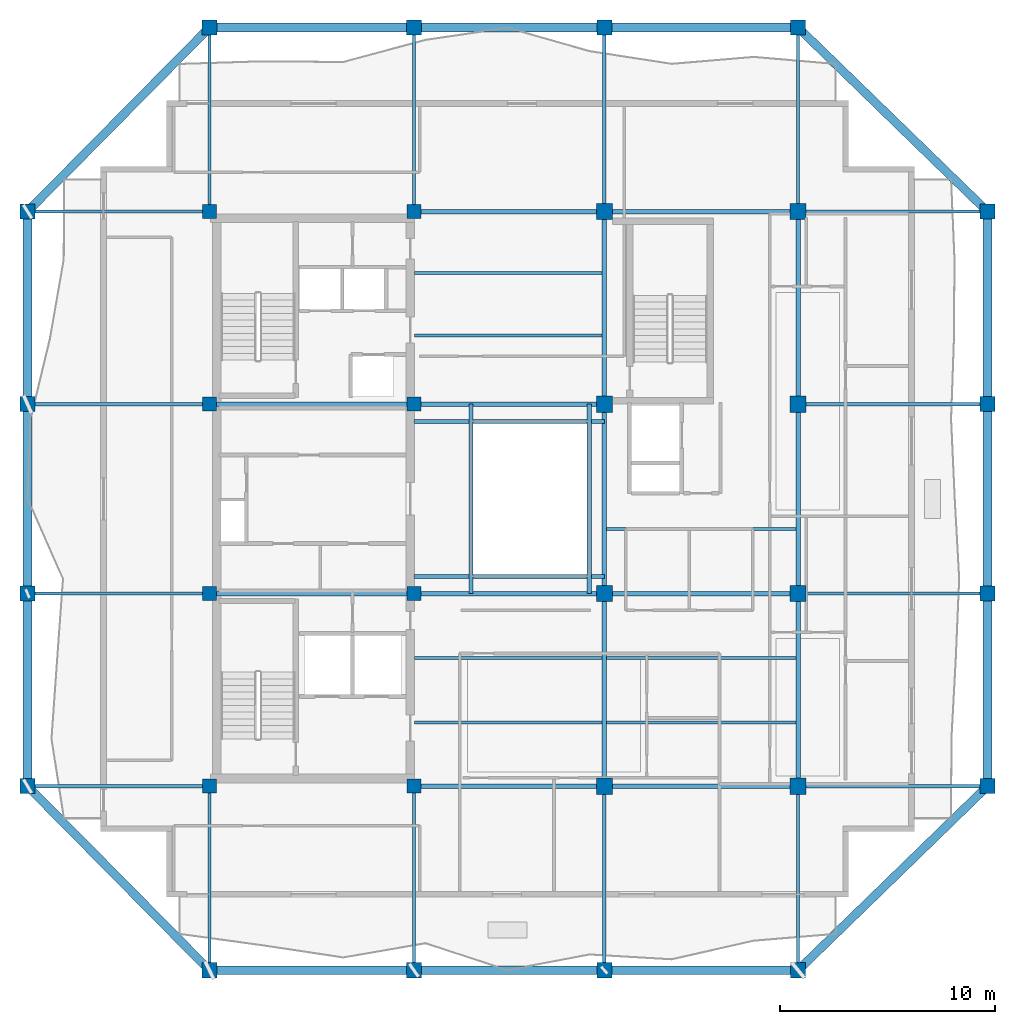
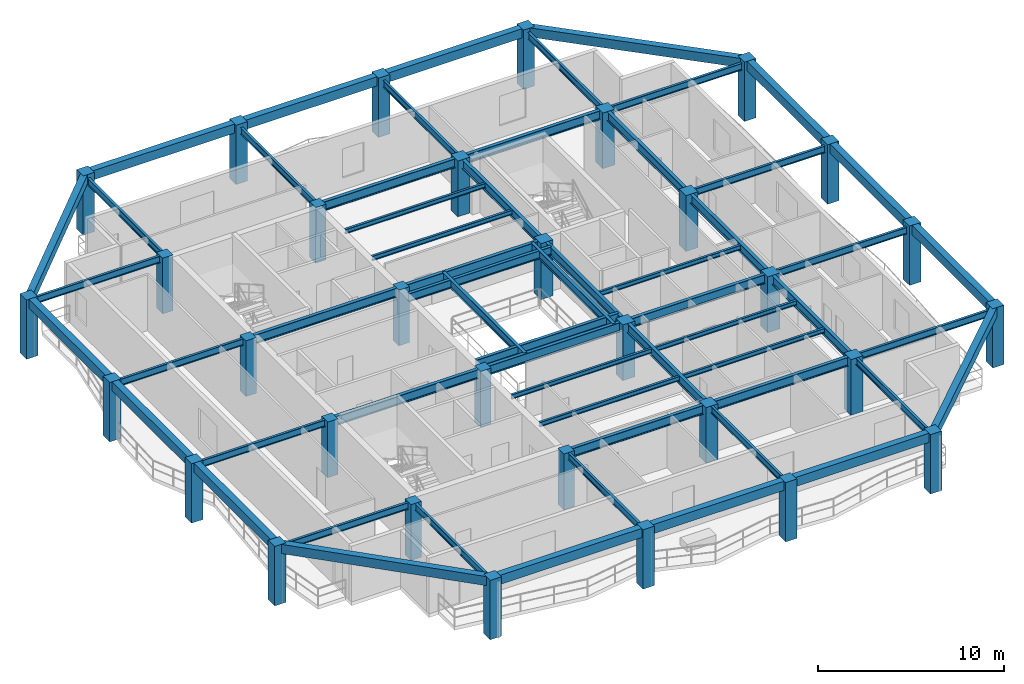
# One storey, part 1 of 10: 58 beams, 32 columns.
"""IFC4 building model written with IfcOpenShell, lengths in metres."""

from ifc_helpers import new_model, si_unit, direction, frame, origin, origin_2d, place, context, subcontext, project, spatial, rectangle, i_section, extrude, material, material_profile, profile_set, type_object, element, save


model = new_model("IFC4")

# Units and contexts
model_context = context("Model", 3, precision=1e-05, world=origin(), true_north=direction((0.0, 1.0)))
body_context = subcontext(model_context, "Body", "Model", "MODEL_VIEW")
ifc_project = project(units=[si_unit("LENGTHUNIT", "METRE"), si_unit("AREAUNIT", "SQUARE_METRE"), si_unit("VOLUMEUNIT", "CUBIC_METRE"), si_unit("PLANEANGLEUNIT", "RADIAN"), si_unit("MASSUNIT", "GRAM", prefix="KILO")], contexts=[model_context])

# Site, building, storey
site_placement = place(None, origin())
site = spatial("IfcSite", under=ifc_project, at=site_placement, CompositionType="ELEMENT")
building_placement = place(site_placement, origin())
building = spatial("IfcBuilding", under=site, at=building_placement, Name="Kundavana Baori Tower", CompositionType="ELEMENT")
storey_placement = place(building_placement, frame((0.0, 0.0, 272.60009765625)))
storey = spatial("IfcBuildingStorey", under=building, at=storey_placement, Name="L67", CompositionType="ELEMENT", Elevation=272.60009765625)

# Columns
ifc_material_1 = material(Name="Concrete C50/60", Category="concrete")
ifc_material_profile_1 = material_profile(ifc_material_1, rectangle(XDim=0.699951171875, YDim=0.699951171875, at=origin_2d()), Name="RC PF 700x700")
ifc_profile_set_1 = profile_set([ifc_material_profile_1], Name="Concrete C50/60")
column_type_1 = type_object("IfcColumnType", Name="COL-PF-700", PredefinedType="COLUMN", material=ifc_profile_set_1)
for number, where, z_axis, x_axis, name in (
    (1, (15.449951171875, 6.699951171875, 0.0), (0.0, 0.0, 1.0), (1.0, 0.0, 0.0), "L67 Stone-Clad Perimeter Frame Column PF-S1"),
    (2, (15.449951171875, 50.5, 0.0), (0.0, 0.0, 1.0), (1.0, 0.0, 0.0), "L67 Stone-Clad Perimeter Frame Column PF-N1"),
    (3, (24.949951171875, 6.699951171875, 0.0), (0.0, 0.0, 1.0), (1.0, 0.0, 0.0), "L67 Stone-Clad Perimeter Frame Column PF-S2"),
    (4, (24.949951171875, 50.5, 0.0), (0.0, 0.0, 1.0), (1.0, 0.0, 0.0), "L67 Stone-Clad Perimeter Frame Column PF-N2"),
    (5, (33.800048828125, 6.699951171875, 0.0), (0.0, 0.0, 1.0), (1.0, 0.0, 0.0), "L67 Stone-Clad Perimeter Frame Column PF-S3"),
    (6, (33.800048828125, 50.5, 0.0), (0.0, 0.0, 1.0), (1.0, 0.0, 0.0), "L67 Stone-Clad Perimeter Frame Column PF-N3"),
    (7, (42.800048828125, 6.699951171875, 0.0), (0.0, 0.0, 1.0), (1.0, 0.0, 0.0), "L67 Stone-Clad Perimeter Frame Column PF-S4"),
    (8, (42.800048828125, 50.5, 0.0), (0.0, 0.0, 1.0), (1.0, 0.0, 0.0), "L67 Stone-Clad Perimeter Frame Column PF-N4"),
    (9, (7.0, 15.25, 0.0), (0.0, 0.0, 1.0), (1.0, 0.0, 0.0), "L67 Stone-Clad Perimeter Frame Column PF-W1"),
    (10, (51.60009765625, 15.25, 0.0), (0.0, 0.0, 1.0), (1.0, 0.0, 0.0), "L67 Stone-Clad Perimeter Frame Column PF-E1"),
    (11, (7.0, 24.199951171875, 0.0), (0.0, 0.0, 1.0), (1.0, 0.0, 0.0), "L67 Stone-Clad Perimeter Frame Column PF-W2"),
    (12, (51.60009765625, 24.199951171875, 0.0), (0.0, 0.0, 1.0), (1.0, 0.0, 0.0), "L67 Stone-Clad Perimeter Frame Column PF-E2"),
    (13, (7.0, 33.0, 0.0), (0.0, 0.0, 1.0), (1.0, 0.0, 0.0), "L67 Stone-Clad Perimeter Frame Column PF-W3"),
    (14, (51.60009765625, 33.0, 0.0), (0.0, 0.0, 1.0), (1.0, 0.0, 0.0), "L67 Stone-Clad Perimeter Frame Column PF-E3"),
    (15, (7.0, 41.949951171875, 0.0), (0.0, 0.0, 1.0), (1.0, 0.0, 0.0), "L67 Stone-Clad Perimeter Frame Column PF-W4"),
    (16, (51.60009765625, 41.949951171875, 0.0), (0.0, 0.0, 1.0), (1.0, 0.0, 0.0), "L67 Stone-Clad Perimeter Frame Column PF-E4"),
):
    element("IfcColumn", number, at=place(storey_placement, frame(where, z_axis=z_axis, x_axis=x_axis)), inside=storey, type_object=column_type_1, Name=name, PredefinedType="COLUMN", context=body_context, shape_type="SweptSolid", body=[
        extrude(rectangle(XDim=0.699951171875, YDim=0.699951171875, at=origin_2d()), origin(), (0.0, 0.0, 1.0), 3.89990234375),
    ])
ifc_material_2 = material(Name="Concrete C50/60", Category="concrete")
ifc_material_profile_2 = material_profile(ifc_material_2, rectangle(XDim=0.64990234375, YDim=0.64990234375, at=origin_2d()), Name="RC 650x650")
ifc_profile_set_2 = profile_set([ifc_material_profile_2], Name="Concrete C50/60")
column_type_2 = type_object("IfcColumnType", Name="COL-RC-650", PredefinedType="COLUMN", material=ifc_profile_set_2)
for number, where, z_axis, x_axis, name in (
    (17, (15.449951171875, 15.25, 0.0), (0.0, 0.0, 1.0), (1.0, 0.0, 0.0), "L67 Interior Column IC-3C"),
    (18, (15.449951171875, 24.199951171875, 0.0), (0.0, 0.0, 1.0), (1.0, 0.0, 0.0), "L67 Interior Column IC-3D"),
    (19, (15.449951171875, 33.0, 0.0), (0.0, 0.0, 1.0), (1.0, 0.0, 0.0), "L67 Interior Column IC-3E"),
    (20, (15.449951171875, 41.949951171875, 0.0), (0.0, 0.0, 1.0), (1.0, 0.0, 0.0), "L67 Interior Column IC-3F"),
    (21, (24.949951171875, 15.25, 0.0), (0.0, 0.0, 1.0), (1.0, 0.0, 0.0), "L67 Interior Column IC-4C"),
    (22, (24.949951171875, 24.199951171875, 0.0), (0.0, 0.0, 1.0), (1.0, 0.0, 0.0), "L67 Interior Column IC-4D"),
    (23, (24.949951171875, 33.0, 0.0), (0.0, 0.0, 1.0), (1.0, 0.0, 0.0), "L67 Interior Column IC-4E"),
    (24, (24.949951171875, 41.949951171875, 0.0), (0.0, 0.0, 1.0), (1.0, 0.0, 0.0), "L67 Interior Column IC-4F"),
):
    element("IfcColumn", number, at=place(storey_placement, frame(where, z_axis=z_axis, x_axis=x_axis)), inside=storey, type_object=column_type_2, Name=name, PredefinedType="COLUMN", context=body_context, shape_type="SweptSolid", body=[
        extrude(rectangle(XDim=0.64990234375, YDim=0.64990234375, at=origin_2d()), origin(), (0.0, 0.0, 1.0), 3.659912109375),
    ])
ifc_material_3 = material(Name="Concrete C50/60", Category="concrete")
ifc_material_profile_3 = material_profile(ifc_material_3, rectangle(XDim=0.75, YDim=0.75, at=origin_2d()), Name="RC 750x750")
ifc_profile_set_3 = profile_set([ifc_material_profile_3], Name="Concrete C50/60")
column_type_3 = type_object("IfcColumnType", Name="COL-RC-750", PredefinedType="COLUMN", material=ifc_profile_set_3)
for number, where, z_axis, x_axis, name in (
    (25, (33.800048828125, 15.25, 0.0), (0.0, 0.0, 1.0), (1.0, 0.0, 0.0), "L67 Interior Column IC-5C"),
    (26, (33.800048828125, 24.199951171875, 0.0), (0.0, 0.0, 1.0), (1.0, 0.0, 0.0), "L67 Interior Column IC-5D"),
    (27, (33.800048828125, 33.0, 0.0), (0.0, 0.0, 1.0), (1.0, 0.0, 0.0), "L67 Interior Column IC-5E"),
    (28, (33.800048828125, 41.949951171875, 0.0), (0.0, 0.0, 1.0), (1.0, 0.0, 0.0), "L67 Interior Column IC-5F"),
    (29, (42.800048828125, 15.25, 0.0), (0.0, 0.0, 1.0), (1.0, 0.0, 0.0), "L67 Interior Column IC-6C"),
    (30, (42.800048828125, 24.199951171875, 0.0), (0.0, 0.0, 1.0), (1.0, 0.0, 0.0), "L67 Interior Column IC-6D"),
    (31, (42.800048828125, 33.0, 0.0), (0.0, 0.0, 1.0), (1.0, 0.0, 0.0), "L67 Interior Column IC-6E"),
    (32, (42.800048828125, 41.949951171875, 0.0), (0.0, 0.0, 1.0), (1.0, 0.0, 0.0), "L67 Interior Column IC-6F"),
):
    element("IfcColumn", number, at=place(storey_placement, frame(where, z_axis=z_axis, x_axis=x_axis)), inside=storey, type_object=column_type_3, Name=name, PredefinedType="COLUMN", context=body_context, shape_type="SweptSolid", body=[
        extrude(rectangle(XDim=0.75, YDim=0.75, at=origin_2d()), origin(), (0.0, 0.0, 1.0), 3.659912109375),
    ])

# Beams
ifc_material_4 = material(Name="Concrete C50/60", Category="concrete")
ifc_material_profile_4 = material_profile(ifc_material_4, rectangle(XDim=0.39990234375, YDim=0.60009765625, at=origin_2d()), Name="RC BM 400x600")
ifc_profile_set_4 = profile_set([ifc_material_profile_4], Name="Concrete C50/60")
beam_type_1 = type_object("IfcBeamType", Name="BM-PF-600", PredefinedType="SPANDREL", material=ifc_profile_set_4)
beam_1_placement = place(storey_placement, frame((15.449951171875, 6.699951171875, 3.599853515625), z_axis=(1.0, 0.0, 0.0), x_axis=(0.0, 1.0, 0.0)))
element("IfcBeam", 33, at=beam_1_placement, inside=storey, type_object=beam_type_1, Name="L67 Perimeter Frame Ring Beam S1", PredefinedType="SPANDREL", context=body_context, shape_type="SweptSolid", body=[
    extrude(rectangle(XDim=0.39990234375, YDim=0.60009765625, at=origin_2d()), origin(), (0.0, 0.0, 1.0), 9.5),
])
beam_2_placement = place(storey_placement, frame((24.949951171875, 6.699951171875, 3.599853515625), z_axis=(1.0, 0.0, 0.0), x_axis=(0.0, 1.0, 0.0)))
element("IfcBeam", 34, at=beam_2_placement, inside=storey, type_object=beam_type_1, Name="L67 Perimeter Frame Ring Beam S2", PredefinedType="SPANDREL", context=body_context, shape_type="SweptSolid", body=[
    extrude(rectangle(XDim=0.39990234375, YDim=0.60009765625, at=origin_2d()), origin(), (0.0, 0.0, 1.0), 8.85009765625),
])
beam_3_placement = place(storey_placement, frame((33.800048828125, 6.699951171875, 3.599853515625), z_axis=(1.0, 0.0, 0.0), x_axis=(0.0, 1.0, 0.0)))
element("IfcBeam", 35, at=beam_3_placement, inside=storey, type_object=beam_type_1, Name="L67 Perimeter Frame Ring Beam S3", PredefinedType="SPANDREL", context=body_context, shape_type="SweptSolid", body=[
    extrude(rectangle(XDim=0.39990234375, YDim=0.60009765625, at=origin_2d()), origin(), (0.0, 0.0, 1.0), 9.0),
])
beam_4_placement = place(storey_placement, frame((15.449951171875, 50.5, 3.599853515625), z_axis=(1.0, 0.0, 0.0), x_axis=(0.0, 1.0, 0.0)))
element("IfcBeam", 36, at=beam_4_placement, inside=storey, type_object=beam_type_1, Name="L67 Perimeter Frame Ring Beam N1", PredefinedType="SPANDREL", context=body_context, shape_type="SweptSolid", body=[
    extrude(rectangle(XDim=0.39990234375, YDim=0.60009765625, at=origin_2d()), origin(), (0.0, 0.0, 1.0), 9.5),
])
beam_5_placement = place(storey_placement, frame((24.949951171875, 50.5, 3.599853515625), z_axis=(1.0, 0.0, 0.0), x_axis=(0.0, 1.0, 0.0)))
element("IfcBeam", 37, at=beam_5_placement, inside=storey, type_object=beam_type_1, Name="L67 Perimeter Frame Ring Beam N2", PredefinedType="SPANDREL", context=body_context, shape_type="SweptSolid", body=[
    extrude(rectangle(XDim=0.39990234375, YDim=0.60009765625, at=origin_2d()), origin(), (0.0, 0.0, 1.0), 8.85009765625),
])
beam_6_placement = place(storey_placement, frame((33.800048828125, 50.5, 3.599853515625), z_axis=(1.0, 0.0, 0.0), x_axis=(0.0, 1.0, 0.0)))
element("IfcBeam", 38, at=beam_6_placement, inside=storey, type_object=beam_type_1, Name="L67 Perimeter Frame Ring Beam N3", PredefinedType="SPANDREL", context=body_context, shape_type="SweptSolid", body=[
    extrude(rectangle(XDim=0.39990234375, YDim=0.60009765625, at=origin_2d()), origin(), (0.0, 0.0, 1.0), 9.0),
])
beam_7_placement = place(storey_placement, frame((7.0, 15.25, 3.599853515625), z_axis=(0.0, 1.0, 0.0), x_axis=(-1.0, 0.0, 0.0)))
element("IfcBeam", 39, at=beam_7_placement, inside=storey, type_object=beam_type_1, Name="L67 Perimeter Frame Ring Beam W1", PredefinedType="SPANDREL", context=body_context, shape_type="SweptSolid", body=[
    extrude(rectangle(XDim=0.39990234375, YDim=0.60009765625, at=origin_2d()), origin(), (0.0, 0.0, 1.0), 8.949951171875),
])
beam_8_placement = place(storey_placement, frame((7.0, 24.199951171875, 3.599853515625), z_axis=(0.0, 1.0, 0.0), x_axis=(-1.0, 0.0, 0.0)))
element("IfcBeam", 40, at=beam_8_placement, inside=storey, type_object=beam_type_1, Name="L67 Perimeter Frame Ring Beam W2", PredefinedType="SPANDREL", context=body_context, shape_type="SweptSolid", body=[
    extrude(rectangle(XDim=0.39990234375, YDim=0.60009765625, at=origin_2d()), origin(), (0.0, 0.0, 1.0), 8.800048828125),
])
for number, where, z_axis, x_axis, name in (
    (41, (7.0, 33.0, 3.599853515625), (0.0, 1.0, 0.0), (-1.0, 0.0, 0.0), "L67 Perimeter Frame Ring Beam W3"),
    (42, (51.60009765625, 15.25, 3.599853515625), (0.0, 1.0, 0.0), (-1.0, 0.0, 0.0), "L67 Perimeter Frame Ring Beam E1"),
):
    element("IfcBeam", number, at=place(storey_placement, frame(where, z_axis=z_axis, x_axis=x_axis)), inside=storey, type_object=beam_type_1, Name=name, PredefinedType="SPANDREL", context=body_context, shape_type="SweptSolid", body=[
        extrude(rectangle(XDim=0.39990234375, YDim=0.60009765625, at=origin_2d()), origin(), (0.0, 0.0, 1.0), 8.949951171875),
    ])
beam_9_placement = place(storey_placement, frame((51.60009765625, 24.199951171875, 3.599853515625), z_axis=(0.0, 1.0, 0.0), x_axis=(-1.0, 0.0, 0.0)))
element("IfcBeam", 43, at=beam_9_placement, inside=storey, type_object=beam_type_1, Name="L67 Perimeter Frame Ring Beam E2", PredefinedType="SPANDREL", context=body_context, shape_type="SweptSolid", body=[
    extrude(rectangle(XDim=0.39990234375, YDim=0.60009765625, at=origin_2d()), origin(), (0.0, 0.0, 1.0), 8.800048828125),
])
beam_10_placement = place(storey_placement, frame((51.60009765625, 33.0, 3.599853515625), z_axis=(0.0, 1.0, 0.0), x_axis=(-1.0, 0.0, 0.0)))
element("IfcBeam", 44, at=beam_10_placement, inside=storey, type_object=beam_type_1, Name="L67 Perimeter Frame Ring Beam E3", PredefinedType="SPANDREL", context=body_context, shape_type="SweptSolid", body=[
    extrude(rectangle(XDim=0.39990234375, YDim=0.60009765625, at=origin_2d()), origin(), (0.0, 0.0, 1.0), 8.949951171875),
])
beam_11_placement = place(storey_placement, frame((15.449951171875, 6.699951171875, 3.599853515625), z_axis=(-0.702931082472, 0.711257965365, 0.0), x_axis=(-0.711257965365, -0.702931082472, 0.0)))
element("IfcBeam", 45, at=beam_11_placement, inside=storey, type_object=beam_type_1, Name="L67 Notched Corner Perimeter Beam SW", PredefinedType="SPANDREL", context=body_context, shape_type="SweptSolid", body=[
    extrude(rectangle(XDim=0.39990234375, YDim=0.60009765625, at=origin_2d()), origin(), (0.0, 0.0, 1.0), 12.02099609375),
])
beam_12_placement = place(storey_placement, frame((42.800048828125, 6.699951171875, 3.599853515625), z_axis=(0.717221130298, 0.696845643062, 0.0), x_axis=(-0.696845643062, 0.717221130298, 0.0)))
element("IfcBeam", 46, at=beam_12_placement, inside=storey, type_object=beam_type_1, Name="L67 Notched Corner Perimeter Beam SE", PredefinedType="SPANDREL", context=body_context, shape_type="SweptSolid", body=[
    extrude(rectangle(XDim=0.39990234375, YDim=0.60009765625, at=origin_2d()), origin(), (0.0, 0.0, 1.0), 12.26953125),
])
beam_13_placement = place(storey_placement, frame((15.449951171875, 50.5, 3.599853515625), z_axis=(-0.702931082472, -0.711257965365, 0.0), x_axis=(0.711257965365, -0.702931082472, 0.0)))
element("IfcBeam", 47, at=beam_13_placement, inside=storey, type_object=beam_type_1, Name="L67 Notched Corner Perimeter Beam NW", PredefinedType="SPANDREL", context=body_context, shape_type="SweptSolid", body=[
    extrude(rectangle(XDim=0.39990234375, YDim=0.60009765625, at=origin_2d()), origin(), (0.0, 0.0, 1.0), 12.02099609375),
])
beam_14_placement = place(storey_placement, frame((42.800048828125, 50.5, 3.599853515625), z_axis=(0.717221130298, -0.696845643062, 0.0), x_axis=(0.696845643062, 0.717221130298, 0.0)))
element("IfcBeam", 48, at=beam_14_placement, inside=storey, type_object=beam_type_1, Name="L67 Notched Corner Perimeter Beam NE", PredefinedType="SPANDREL", context=body_context, shape_type="SweptSolid", body=[
    extrude(rectangle(XDim=0.39990234375, YDim=0.60009765625, at=origin_2d()), origin(), (0.0, 0.0, 1.0), 12.26953125),
])
ifc_material_5 = material(Name="Structural Steel S355JR", Category="steel")
ifc_material_profile_5 = material_profile(ifc_material_5, i_section(OverallWidth=0.139892578125, OverallDepth=0.300048828125, WebThickness=0.0078125, FlangeThickness=0.01318359375, FilletRadius=0.013916015625, at=origin_2d()), Name="ISMB 300")
ifc_profile_set_5 = profile_set([ifc_material_profile_5], Name="Structural Steel S355JR")
beam_type_2 = type_object("IfcBeamType", Name="BM-RF-300", PredefinedType="BEAM", material=ifc_profile_set_5)
for number, where, z_axis, x_axis, name in (
    (49, (24.97998046875, 18.199951171875, 3.510009765625), (1.0, 0.0, 0.0), (0.0, 1.0, 0.0), "L67 Central Bay Composite Floor Joist C1"),
    (50, (24.97998046875, 21.199951171875, 3.510009765625), (1.0, 0.0, 0.0), (0.0, 1.0, 0.0), "L67 Central Bay Composite Floor Joist C2"),
    (51, (24.97998046875, 36.199951171875, 3.510009765625), (1.0, 0.0, 0.0), (0.0, 1.0, 0.0), "L67 Central Bay Composite Floor Joist C3"),
    (52, (24.97998046875, 39.10009765625, 3.510009765625), (1.0, 0.0, 0.0), (0.0, 1.0, 0.0), "L67 Central Bay Composite Floor Joist C4"),
):
    element("IfcBeam", number, at=place(storey_placement, frame(where, z_axis=z_axis, x_axis=x_axis)), inside=storey, type_object=beam_type_2, Name=name, PredefinedType="BEAM", context=body_context, shape_type="SweptSolid", body=[
        extrude(i_section(OverallWidth=0.139892578125, OverallDepth=0.300048828125, WebThickness=0.0078125, FlangeThickness=0.01318359375, FilletRadius=0.013916015625, at=origin_2d()), origin(), (0.0, 0.0, 1.0), 8.715087890625),
    ])
for number, where, z_axis, x_axis, name in (
    (53, (33.905029296875, 18.199951171875, 3.510009765625), (1.0, 0.0, 0.0), (0.0, 1.0, 0.0), "L67 East Bay Composite Floor Joist E1"),
    (54, (33.905029296875, 21.199951171875, 3.510009765625), (1.0, 0.0, 0.0), (0.0, 1.0, 0.0), "L67 East Bay Composite Floor Joist E2"),
    (55, (33.905029296875, 27.199951171875, 3.510009765625), (1.0, 0.0, 0.0), (0.0, 1.0, 0.0), "L67 East Bay Composite Floor Joist E3"),
):
    element("IfcBeam", number, at=place(storey_placement, frame(where, z_axis=z_axis, x_axis=x_axis)), inside=storey, type_object=beam_type_2, Name=name, PredefinedType="BEAM", context=body_context, shape_type="SweptSolid", body=[
        extrude(i_section(OverallWidth=0.139892578125, OverallDepth=0.300048828125, WebThickness=0.0078125, FlangeThickness=0.01318359375, FilletRadius=0.013916015625, at=origin_2d()), origin(), (0.0, 0.0, 1.0), 8.7900390625),
    ])
ifc_material_6 = material(Name="Structural Steel S355JR", Category="steel")
ifc_material_profile_6 = material_profile(ifc_material_6, i_section(OverallWidth=0.18994140625, OverallDepth=0.550048828125, WebThickness=0.01123046875, FlangeThickness=0.019287109375, FilletRadius=0.01806640625, at=origin_2d()), Name="ISMB 550")
ifc_profile_set_6 = profile_set([ifc_material_profile_6], Name="Structural Steel S355JR")
beam_type_3 = type_object("IfcBeamType", Name="BM-ST-550", PredefinedType="BEAM", material=ifc_profile_set_6)
for number, where, z_axis, x_axis, name in (
    (56, (27.60009765625, 24.199951171875, 3.385009765625), (0.0, 1.0, 0.0), (-1.0, 0.0, 0.0), "L67 Atrium West Edge Beam"),
    (57, (33.10009765625, 24.199951171875, 3.385009765625), (0.0, 1.0, 0.0), (-1.0, 0.0, 0.0), "L67 Atrium East Edge Beam"),
):
    element("IfcBeam", number, at=place(storey_placement, frame(where, z_axis=z_axis, x_axis=x_axis)), inside=storey, type_object=beam_type_3, Name=name, PredefinedType="BEAM", context=body_context, shape_type="SweptSolid", body=[
        extrude(i_section(OverallWidth=0.18994140625, OverallDepth=0.550048828125, WebThickness=0.01123046875, FlangeThickness=0.019287109375, FilletRadius=0.01806640625, at=origin_2d()), origin(), (0.0, 0.0, 1.0), 8.800048828125),
    ])
for number, where, z_axis, x_axis, name in (
    (58, (24.949951171875, 25.0, 3.385009765625), (1.0, 0.0, 0.0), (0.0, 1.0, 0.0), "L67 Atrium South Edge Beam"),
    (59, (24.949951171875, 32.199951171875, 3.385009765625), (1.0, 0.0, 0.0), (0.0, 1.0, 0.0), "L67 Atrium North Edge Beam"),
):
    element("IfcBeam", number, at=place(storey_placement, frame(where, z_axis=z_axis, x_axis=x_axis)), inside=storey, type_object=beam_type_3, Name=name, PredefinedType="BEAM", context=body_context, shape_type="SweptSolid", body=[
        extrude(i_section(OverallWidth=0.18994140625, OverallDepth=0.550048828125, WebThickness=0.01123046875, FlangeThickness=0.019287109375, FilletRadius=0.01806640625, at=origin_2d()), origin(), (0.0, 0.0, 1.0), 8.85009765625),
    ])
ifc_material_7 = material(Name="Structural Steel S355JR", Category="steel")
ifc_material_profile_7 = material_profile(ifc_material_7, i_section(OverallWidth=0.2099609375, OverallDepth=0.60009765625, WebThickness=0.011962890625, FlangeThickness=0.020751953125, FilletRadius=0.02001953125, at=origin_2d()), Name="ISMB 600")
ifc_profile_set_7 = profile_set([ifc_material_profile_7], Name="Structural Steel S355JR")
beam_type_4 = type_object("IfcBeamType", Name="BM-ST-600", PredefinedType="BEAM", material=ifc_profile_set_7)
beam_15_placement = place(storey_placement, frame((24.949951171875, 15.25, 3.35986328125), z_axis=(1.0, 0.0, 0.0), x_axis=(0.0, 1.0, 0.0)))
element("IfcBeam", 60, at=beam_15_placement, inside=storey, type_object=beam_type_4, Name="L67 Primary Grid Girder GX-1-2", PredefinedType="BEAM", context=body_context, shape_type="SweptSolid", body=[
    extrude(i_section(OverallWidth=0.2099609375, OverallDepth=0.60009765625, WebThickness=0.011962890625, FlangeThickness=0.020751953125, FilletRadius=0.02001953125, at=origin_2d()), origin(), (0.0, 0.0, 1.0), 8.85009765625),
])
beam_16_placement = place(storey_placement, frame((33.800048828125, 15.25, 3.35986328125), z_axis=(1.0, 0.0, 0.0), x_axis=(0.0, 1.0, 0.0)))
element("IfcBeam", 61, at=beam_16_placement, inside=storey, type_object=beam_type_4, Name="L67 Primary Grid Girder GX-1-3", PredefinedType="BEAM", context=body_context, shape_type="SweptSolid", body=[
    extrude(i_section(OverallWidth=0.2099609375, OverallDepth=0.60009765625, WebThickness=0.011962890625, FlangeThickness=0.020751953125, FilletRadius=0.02001953125, at=origin_2d()), origin(), (0.0, 0.0, 1.0), 9.0),
])
beam_17_placement = place(storey_placement, frame((15.449951171875, 24.199951171875, 3.35986328125), z_axis=(1.0, 0.0, 0.0), x_axis=(0.0, 1.0, 0.0)))
element("IfcBeam", 62, at=beam_17_placement, inside=storey, type_object=beam_type_4, Name="L67 Primary Grid Girder GX-2-1", PredefinedType="BEAM", context=body_context, shape_type="SweptSolid", body=[
    extrude(i_section(OverallWidth=0.2099609375, OverallDepth=0.60009765625, WebThickness=0.011962890625, FlangeThickness=0.020751953125, FilletRadius=0.02001953125, at=origin_2d()), origin(), (0.0, 0.0, 1.0), 9.5),
])
beam_18_placement = place(storey_placement, frame((24.949951171875, 24.199951171875, 3.35986328125), z_axis=(1.0, 0.0, 0.0), x_axis=(0.0, 1.0, 0.0)))
element("IfcBeam", 63, at=beam_18_placement, inside=storey, type_object=beam_type_4, Name="L67 Primary Grid Girder GX-2-2", PredefinedType="BEAM", context=body_context, shape_type="SweptSolid", body=[
    extrude(i_section(OverallWidth=0.2099609375, OverallDepth=0.60009765625, WebThickness=0.011962890625, FlangeThickness=0.020751953125, FilletRadius=0.02001953125, at=origin_2d()), origin(), (0.0, 0.0, 1.0), 8.85009765625),
])
beam_19_placement = place(storey_placement, frame((33.800048828125, 24.199951171875, 3.35986328125), z_axis=(1.0, 0.0, 0.0), x_axis=(0.0, 1.0, 0.0)))
element("IfcBeam", 64, at=beam_19_placement, inside=storey, type_object=beam_type_4, Name="L67 Primary Grid Girder GX-2-3", PredefinedType="BEAM", context=body_context, shape_type="SweptSolid", body=[
    extrude(i_section(OverallWidth=0.2099609375, OverallDepth=0.60009765625, WebThickness=0.011962890625, FlangeThickness=0.020751953125, FilletRadius=0.02001953125, at=origin_2d()), origin(), (0.0, 0.0, 1.0), 9.0),
])
beam_20_placement = place(storey_placement, frame((15.449951171875, 33.0, 3.35986328125), z_axis=(1.0, 0.0, 0.0), x_axis=(0.0, 1.0, 0.0)))
element("IfcBeam", 65, at=beam_20_placement, inside=storey, type_object=beam_type_4, Name="L67 Primary Grid Girder GX-3-1", PredefinedType="BEAM", context=body_context, shape_type="SweptSolid", body=[
    extrude(i_section(OverallWidth=0.2099609375, OverallDepth=0.60009765625, WebThickness=0.011962890625, FlangeThickness=0.020751953125, FilletRadius=0.02001953125, at=origin_2d()), origin(), (0.0, 0.0, 1.0), 9.5),
])
for number, where, z_axis, x_axis, name in (
    (66, (24.949951171875, 33.0, 3.35986328125), (1.0, 0.0, 0.0), (0.0, 1.0, 0.0), "L67 Primary Grid Girder GX-3-2"),
    (67, (24.949951171875, 41.949951171875, 3.35986328125), (1.0, 0.0, 0.0), (0.0, 1.0, 0.0), "L67 Primary Grid Girder GX-4-2"),
):
    element("IfcBeam", number, at=place(storey_placement, frame(where, z_axis=z_axis, x_axis=x_axis)), inside=storey, type_object=beam_type_4, Name=name, PredefinedType="BEAM", context=body_context, shape_type="SweptSolid", body=[
        extrude(i_section(OverallWidth=0.2099609375, OverallDepth=0.60009765625, WebThickness=0.011962890625, FlangeThickness=0.020751953125, FilletRadius=0.02001953125, at=origin_2d()), origin(), (0.0, 0.0, 1.0), 8.85009765625),
    ])
beam_21_placement = place(storey_placement, frame((33.800048828125, 41.949951171875, 3.35986328125), z_axis=(1.0, 0.0, 0.0), x_axis=(0.0, 1.0, 0.0)))
element("IfcBeam", 68, at=beam_21_placement, inside=storey, type_object=beam_type_4, Name="L67 Primary Grid Girder GX-4-3", PredefinedType="BEAM", context=body_context, shape_type="SweptSolid", body=[
    extrude(i_section(OverallWidth=0.2099609375, OverallDepth=0.60009765625, WebThickness=0.011962890625, FlangeThickness=0.020751953125, FilletRadius=0.02001953125, at=origin_2d()), origin(), (0.0, 0.0, 1.0), 9.0),
])
beam_22_placement = place(storey_placement, frame((33.800048828125, 15.25, 3.35986328125), z_axis=(0.0, 1.0, 0.0), x_axis=(-1.0, 0.0, 0.0)))
element("IfcBeam", 69, at=beam_22_placement, inside=storey, type_object=beam_type_4, Name="L67 Primary Grid Girder GY-3-1", PredefinedType="BEAM", context=body_context, shape_type="SweptSolid", body=[
    extrude(i_section(OverallWidth=0.2099609375, OverallDepth=0.60009765625, WebThickness=0.011962890625, FlangeThickness=0.020751953125, FilletRadius=0.02001953125, at=origin_2d()), origin(), (0.0, 0.0, 1.0), 8.949951171875),
])
beam_23_placement = place(storey_placement, frame((33.800048828125, 24.199951171875, 3.35986328125), z_axis=(0.0, 1.0, 0.0), x_axis=(-1.0, 0.0, 0.0)))
element("IfcBeam", 70, at=beam_23_placement, inside=storey, type_object=beam_type_4, Name="L67 Primary Grid Girder GY-3-2", PredefinedType="BEAM", context=body_context, shape_type="SweptSolid", body=[
    extrude(i_section(OverallWidth=0.2099609375, OverallDepth=0.60009765625, WebThickness=0.011962890625, FlangeThickness=0.020751953125, FilletRadius=0.02001953125, at=origin_2d()), origin(), (0.0, 0.0, 1.0), 8.800048828125),
])
for number, where, z_axis, x_axis, name in (
    (71, (33.800048828125, 33.0, 3.35986328125), (0.0, 1.0, 0.0), (-1.0, 0.0, 0.0), "L67 Primary Grid Girder GY-3-3"),
    (72, (42.800048828125, 15.25, 3.35986328125), (0.0, 1.0, 0.0), (-1.0, 0.0, 0.0), "L67 Primary Grid Girder GY-4-1"),
):
    element("IfcBeam", number, at=place(storey_placement, frame(where, z_axis=z_axis, x_axis=x_axis)), inside=storey, type_object=beam_type_4, Name=name, PredefinedType="BEAM", context=body_context, shape_type="SweptSolid", body=[
        extrude(i_section(OverallWidth=0.2099609375, OverallDepth=0.60009765625, WebThickness=0.011962890625, FlangeThickness=0.020751953125, FilletRadius=0.02001953125, at=origin_2d()), origin(), (0.0, 0.0, 1.0), 8.949951171875),
    ])
beam_24_placement = place(storey_placement, frame((42.800048828125, 24.199951171875, 3.35986328125), z_axis=(0.0, 1.0, 0.0), x_axis=(-1.0, 0.0, 0.0)))
element("IfcBeam", 73, at=beam_24_placement, inside=storey, type_object=beam_type_4, Name="L67 Primary Grid Girder GY-4-2", PredefinedType="BEAM", context=body_context, shape_type="SweptSolid", body=[
    extrude(i_section(OverallWidth=0.2099609375, OverallDepth=0.60009765625, WebThickness=0.011962890625, FlangeThickness=0.020751953125, FilletRadius=0.02001953125, at=origin_2d()), origin(), (0.0, 0.0, 1.0), 8.800048828125),
])
beam_25_placement = place(storey_placement, frame((42.800048828125, 33.0, 3.35986328125), z_axis=(0.0, 1.0, 0.0), x_axis=(-1.0, 0.0, 0.0)))
element("IfcBeam", 74, at=beam_25_placement, inside=storey, type_object=beam_type_4, Name="L67 Primary Grid Girder GY-4-3", PredefinedType="BEAM", context=body_context, shape_type="SweptSolid", body=[
    extrude(i_section(OverallWidth=0.2099609375, OverallDepth=0.60009765625, WebThickness=0.011962890625, FlangeThickness=0.020751953125, FilletRadius=0.02001953125, at=origin_2d()), origin(), (0.0, 0.0, 1.0), 8.949951171875),
])
ifc_material_8 = material(Name="Structural Steel S355JR", Category="steel")
ifc_material_profile_8 = material_profile(ifc_material_8, i_section(OverallWidth=0.14990234375, OverallDepth=0.449951171875, WebThickness=0.009521484375, FlangeThickness=0.017333984375, FilletRadius=0.014892578125, at=origin_2d()), Name="ISMB 450")
ifc_profile_set_8 = profile_set([ifc_material_profile_8], Name="Structural Steel S355JR")
beam_type_5 = type_object("IfcBeamType", Name="BM-TIE-450", PredefinedType="BEAM", material=ifc_profile_set_8)
for number, where, z_axis, x_axis, name in (
    (75, (15.449951171875, 15.25, 3.434814453125), (0.0, -1.0, 0.0), (1.0, 0.0, 0.0), "L67 South Radial Loggia Tie Beam S1"),
    (76, (15.449951171875, 41.949951171875, 3.434814453125), (0.0, 1.0, 0.0), (-1.0, 0.0, 0.0), "L67 North Radial Loggia Tie Beam N1"),
    (77, (24.949951171875, 15.25, 3.434814453125), (0.0, -1.0, 0.0), (1.0, 0.0, 0.0), "L67 South Radial Loggia Tie Beam S2"),
    (78, (24.949951171875, 41.949951171875, 3.434814453125), (0.0, 1.0, 0.0), (-1.0, 0.0, 0.0), "L67 North Radial Loggia Tie Beam N2"),
    (79, (33.800048828125, 15.25, 3.434814453125), (0.0, -1.0, 0.0), (1.0, 0.0, 0.0), "L67 South Radial Loggia Tie Beam S3"),
    (80, (33.800048828125, 41.949951171875, 3.434814453125), (0.0, 1.0, 0.0), (-1.0, 0.0, 0.0), "L67 North Radial Loggia Tie Beam N3"),
    (81, (42.800048828125, 15.25, 3.434814453125), (0.0, -1.0, 0.0), (1.0, 0.0, 0.0), "L67 South Radial Loggia Tie Beam S4"),
    (82, (42.800048828125, 41.949951171875, 3.434814453125), (0.0, 1.0, 0.0), (-1.0, 0.0, 0.0), "L67 North Radial Loggia Tie Beam N4"),
):
    element("IfcBeam", number, at=place(storey_placement, frame(where, z_axis=z_axis, x_axis=x_axis)), inside=storey, type_object=beam_type_5, Name=name, PredefinedType="BEAM", context=body_context, shape_type="SweptSolid", body=[
        extrude(i_section(OverallWidth=0.14990234375, OverallDepth=0.449951171875, WebThickness=0.009521484375, FlangeThickness=0.017333984375, FilletRadius=0.014892578125, at=origin_2d()), origin(), (0.0, 0.0, 1.0), 8.550048828125),
    ])
beam_26_placement = place(storey_placement, frame((15.449951171875, 15.25, 3.434814453125), z_axis=(-1.0, 0.0, 0.0), x_axis=(0.0, -1.0, 0.0)))
element("IfcBeam", 83, at=beam_26_placement, inside=storey, type_object=beam_type_5, Name="L67 West Radial Loggia Tie Beam W1", PredefinedType="BEAM", context=body_context, shape_type="SweptSolid", body=[
    extrude(i_section(OverallWidth=0.14990234375, OverallDepth=0.449951171875, WebThickness=0.009521484375, FlangeThickness=0.017333984375, FilletRadius=0.014892578125, at=origin_2d()), origin(), (0.0, 0.0, 1.0), 8.449951171875),
])
beam_27_placement = place(storey_placement, frame((42.800048828125, 15.25, 3.434814453125), z_axis=(1.0, 0.0, 0.0), x_axis=(0.0, 1.0, 0.0)))
element("IfcBeam", 84, at=beam_27_placement, inside=storey, type_object=beam_type_5, Name="L67 East Radial Loggia Tie Beam E1", PredefinedType="BEAM", context=body_context, shape_type="SweptSolid", body=[
    extrude(i_section(OverallWidth=0.14990234375, OverallDepth=0.449951171875, WebThickness=0.009521484375, FlangeThickness=0.017333984375, FilletRadius=0.014892578125, at=origin_2d()), origin(), (0.0, 0.0, 1.0), 8.800048828125),
])
beam_28_placement = place(storey_placement, frame((15.449951171875, 24.199951171875, 3.434814453125), z_axis=(-1.0, 0.0, 0.0), x_axis=(0.0, -1.0, 0.0)))
element("IfcBeam", 85, at=beam_28_placement, inside=storey, type_object=beam_type_5, Name="L67 West Radial Loggia Tie Beam W2", PredefinedType="BEAM", context=body_context, shape_type="SweptSolid", body=[
    extrude(i_section(OverallWidth=0.14990234375, OverallDepth=0.449951171875, WebThickness=0.009521484375, FlangeThickness=0.017333984375, FilletRadius=0.014892578125, at=origin_2d()), origin(), (0.0, 0.0, 1.0), 8.449951171875),
])
beam_29_placement = place(storey_placement, frame((42.800048828125, 24.199951171875, 3.434814453125), z_axis=(1.0, 0.0, 0.0), x_axis=(0.0, 1.0, 0.0)))
element("IfcBeam", 86, at=beam_29_placement, inside=storey, type_object=beam_type_5, Name="L67 East Radial Loggia Tie Beam E2", PredefinedType="BEAM", context=body_context, shape_type="SweptSolid", body=[
    extrude(i_section(OverallWidth=0.14990234375, OverallDepth=0.449951171875, WebThickness=0.009521484375, FlangeThickness=0.017333984375, FilletRadius=0.014892578125, at=origin_2d()), origin(), (0.0, 0.0, 1.0), 8.800048828125),
])
beam_30_placement = place(storey_placement, frame((15.449951171875, 33.0, 3.434814453125), z_axis=(-1.0, 0.0, 0.0), x_axis=(0.0, -1.0, 0.0)))
element("IfcBeam", 87, at=beam_30_placement, inside=storey, type_object=beam_type_5, Name="L67 West Radial Loggia Tie Beam W3", PredefinedType="BEAM", context=body_context, shape_type="SweptSolid", body=[
    extrude(i_section(OverallWidth=0.14990234375, OverallDepth=0.449951171875, WebThickness=0.009521484375, FlangeThickness=0.017333984375, FilletRadius=0.014892578125, at=origin_2d()), origin(), (0.0, 0.0, 1.0), 8.449951171875),
])
beam_31_placement = place(storey_placement, frame((42.800048828125, 33.0, 3.434814453125), z_axis=(1.0, 0.0, 0.0), x_axis=(0.0, 1.0, 0.0)))
element("IfcBeam", 88, at=beam_31_placement, inside=storey, type_object=beam_type_5, Name="L67 East Radial Loggia Tie Beam E3", PredefinedType="BEAM", context=body_context, shape_type="SweptSolid", body=[
    extrude(i_section(OverallWidth=0.14990234375, OverallDepth=0.449951171875, WebThickness=0.009521484375, FlangeThickness=0.017333984375, FilletRadius=0.014892578125, at=origin_2d()), origin(), (0.0, 0.0, 1.0), 8.800048828125),
])
beam_32_placement = place(storey_placement, frame((15.449951171875, 41.949951171875, 3.434814453125), z_axis=(-1.0, 0.0, 0.0), x_axis=(0.0, -1.0, 0.0)))
element("IfcBeam", 89, at=beam_32_placement, inside=storey, type_object=beam_type_5, Name="L67 West Radial Loggia Tie Beam W4", PredefinedType="BEAM", context=body_context, shape_type="SweptSolid", body=[
    extrude(i_section(OverallWidth=0.14990234375, OverallDepth=0.449951171875, WebThickness=0.009521484375, FlangeThickness=0.017333984375, FilletRadius=0.014892578125, at=origin_2d()), origin(), (0.0, 0.0, 1.0), 8.449951171875),
])
beam_33_placement = place(storey_placement, frame((42.800048828125, 41.949951171875, 3.434814453125), z_axis=(1.0, 0.0, 0.0), x_axis=(0.0, 1.0, 0.0)))
element("IfcBeam", 90, at=beam_33_placement, inside=storey, type_object=beam_type_5, Name="L67 East Radial Loggia Tie Beam E4", PredefinedType="BEAM", context=body_context, shape_type="SweptSolid", body=[
    extrude(i_section(OverallWidth=0.14990234375, OverallDepth=0.449951171875, WebThickness=0.009521484375, FlangeThickness=0.017333984375, FilletRadius=0.014892578125, at=origin_2d()), origin(), (0.0, 0.0, 1.0), 8.800048828125),
])

save(model, "model.ifc")
